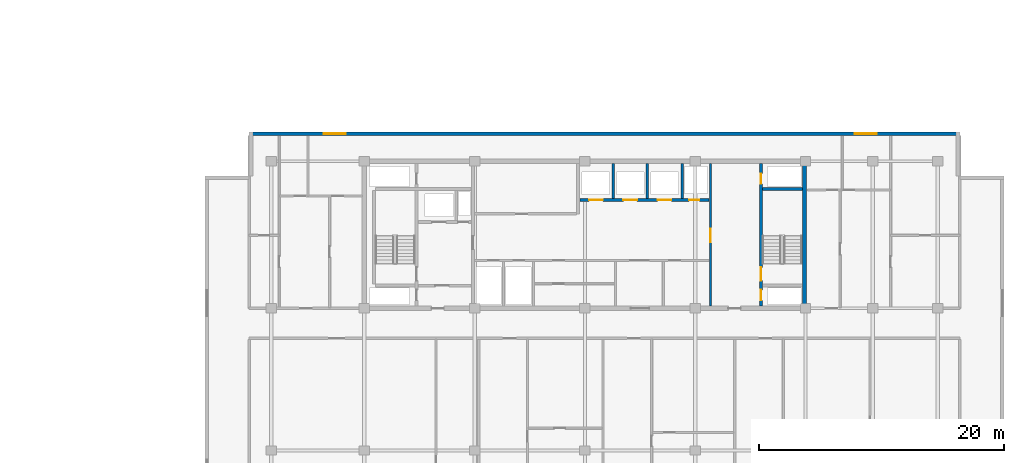
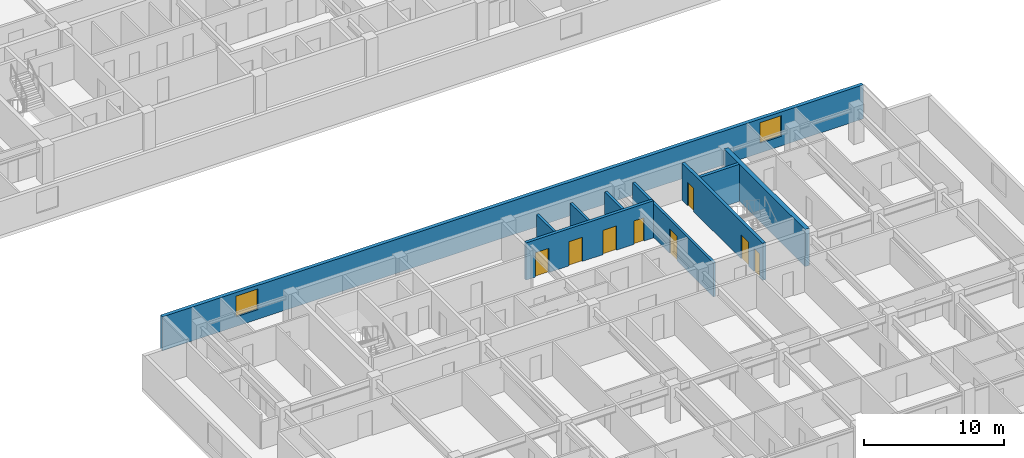
# One storey, part 7 of 21: 9 walls, 8 doors, 2 windows, 10 openings.
"""IFC4 building model written with IfcOpenShell, lengths in metres."""

import ifcopenshell
import ifcopenshell.guid

model = None  # the IFC model being written
_history = None  # IfcOwnerHistory: only IFC2X3 demands one
_inside = {}  # id of a spatial element -> (the spatial element, [elements in it])
_under = {}  # id of a project, library or spatial element -> (it, [spatial elements below it])
_declared = {}  # id of a project -> (the project, [libraries it declares])
_typed = {}  # id of a type object -> (the type object, [elements of that type])
_made_of = {}  # id of a material, layer set ... -> (it, [elements and type objects made of it])


def new_model(schema):
    """Start an empty IFC model of exactly this schema.

    Asked for "IFC4X3", IfcOpenShell would pick the latest addendum, in which some entities
    have other attributes; the version numbers below select the first issue.
    IFC2X3 requires an IfcOwnerHistory on every rooted entity: one is made here for all.
    """
    global model, _history
    if schema == "IFC4X3":
        model = ifcopenshell.file(schema_version=(4, 3, 0, 0))
    else:
        model = ifcopenshell.file(schema=schema)
    _inside.clear()
    _under.clear()
    _declared.clear()
    _typed.clear()
    _made_of.clear()
    _history = None
    if model.schema == "IFC2X3":
        org = make("IfcOrganization", Name="unknown")
        user = make(
            "IfcPersonAndOrganization",
            ThePerson=make("IfcPerson", FamilyName="unknown"),
            TheOrganization=org,
        )
        app = make(
            "IfcApplication",
            ApplicationDeveloper=org,
            Version="unknown",
            ApplicationFullName="unknown",
            ApplicationIdentifier="unknown",
        )
        _history = make(
            "IfcOwnerHistory",
            OwningUser=user,
            OwningApplication=app,
            ChangeAction="ADDED",
            CreationDate=0,
        )
    return model


def make(cls, **values):
    """One entity of the class cls with the attributes given. An attribute that is None is left unset."""
    return model.create_entity(
        cls, **{name: value for name, value in values.items() if value is not None}
    )


def rooted(cls, **values):
    """An entity with a GlobalId (a new one), such as an element, a storey or a relation."""
    return make(cls, GlobalId=ifcopenshell.guid.new(), OwnerHistory=_history, **values)


def si_unit(unit_type, name, prefix=None):
    """IfcSIUnit, for example si_unit("LENGTHUNIT", "METRE", prefix="MILLI")."""
    return make("IfcSIUnit", UnitType=unit_type, Prefix=prefix, Name=name)


def assignment(units):
    """IfcUnitAssignment: the units of a project."""
    return None if units is None else make("IfcUnitAssignment", Units=units)


def point(xyz):
    """IfcCartesianPoint."""
    return None if xyz is None else make("IfcCartesianPoint", Coordinates=xyz)


def direction(xyz):
    """IfcDirection."""
    return None if xyz is None else make("IfcDirection", DirectionRatios=xyz)


def frame(location, z_axis=None, x_axis=None):
    """IfcAxis2Placement3D, a coordinate frame: its origin and axes. An axis left out is left unset."""
    return make(
        "IfcAxis2Placement3D",
        Location=point(location),
        Axis=direction(z_axis),
        RefDirection=direction(x_axis),
    )


def frame_2d(location, x_axis=None):
    """IfcAxis2Placement2D, a coordinate frame in the plane: its origin and x axis."""
    return make(
        "IfcAxis2Placement2D", Location=point(location), RefDirection=direction(x_axis)
    )


def origin():
    """The frame at (0, 0, 0) with its axes left unset."""
    return frame((0.0, 0.0, 0.0))


def place(relative_to, where):
    """IfcLocalPlacement: puts the frame where relative to a parent placement (None: the world)."""
    return make(
        "IfcLocalPlacement", PlacementRelTo=relative_to, RelativePlacement=where
    )


def context(
    kind, dimensions, precision=None, world=None, true_north=None, identifier=None
):
    """IfcGeometricRepresentationContext, for example the 3D "Model" context."""
    return make(
        "IfcGeometricRepresentationContext",
        ContextIdentifier=identifier,
        ContextType=kind,
        CoordinateSpaceDimension=dimensions,
        Precision=precision,
        WorldCoordinateSystem=world,
        TrueNorth=true_north,
    )


def subcontext(parent, identifier, kind, view, scale=None):
    """IfcGeometricRepresentationSubContext, for example "Body" below "Model"."""
    return make(
        "IfcGeometricRepresentationSubContext",
        ContextIdentifier=identifier,
        ContextType=kind,
        ParentContext=parent,
        TargetScale=scale,
        TargetView=view,
    )


def project(units=None, contexts=None):
    """IfcProject with its units and contexts."""
    return rooted(
        "IfcProject",
        Name="project",
        RepresentationContexts=contexts,
        UnitsInContext=assignment(units),
    )


def spatial(cls, under=None, at=None, **own):
    """A site, building, storey or space (cls), placed at a placement, below another one or the project."""
    s = rooted(cls, ObjectPlacement=at, **own)
    if under is not None:
        _under.setdefault(under.id(), (under, []))[1].append(s)
    return s


def profile(cls, at=None, kind="AREA", **sizes):
    """A parametric profile (cls). Its sizes go by their IFC names, for example OverallWidth=200.0."""
    return make(cls, ProfileType=kind, Position=at, **sizes)


def rectangle(**sizes):
    """IfcRectangleProfileDef."""
    return profile("IfcRectangleProfileDef", **sizes)


def extrude(swept, where, along, depth):
    """IfcExtrudedAreaSolid: the profile swept, set in the frame where, extruded along a direction by depth."""
    return make(
        "IfcExtrudedAreaSolid",
        SweptArea=swept,
        Position=where,
        ExtrudedDirection=direction(along),
        Depth=depth,
    )


def shape(context_of_items, identifier, shape_type, items):
    """IfcShapeRepresentation: the items that make up one representation, for example the "Body"."""
    return make(
        "IfcShapeRepresentation",
        ContextOfItems=context_of_items,
        RepresentationIdentifier=identifier,
        RepresentationType=shape_type,
        Items=items,
    )


def material(Name=None, Category=None):
    """IfcMaterial."""
    return make("IfcMaterial", Name=Name, Category=Category)


def layer(
    of_material, thickness, ventilated=None, Name=None, Category=None, Priority=None
):
    """IfcMaterialLayer: one layer of a wall or slab, of a material (None: an air gap)."""
    return make(
        "IfcMaterialLayer",
        Material=of_material,
        LayerThickness=thickness,
        IsVentilated=ventilated,
        Name=Name,
        Category=Category,
        Priority=Priority,
    )


def layer_set(layers, Name=None):
    """IfcMaterialLayerSet."""
    return make("IfcMaterialLayerSet", MaterialLayers=layers, LayerSetName=Name)


def made_of(thing, what):
    """Note that an element or type object is made of a material, layer set ...; save() writes the relation."""
    if what is not None:
        _made_of.setdefault(what.id(), (what, []))[1].append(thing)
    return thing


def type_object(cls, material=None, **own):
    """A type object (cls), such as IfcWallType, which elements share."""
    return made_of(rooted(cls, **own), material)


def element(
    cls,
    number,
    at=None,
    inside=None,
    cuts=None,
    type_object=None,
    material=None,
    context=None,
    identifier="Body",
    shape_type=None,
    held_by="IfcProductDefinitionShape",
    body=None,
    shapes=None,
    **own,
):
    """One element of the class cls, such as IfcWall. Its Tag is "e" and its number.

    at: its placement. inside: the storey or other place that contains it. cuts: it is an
    opening in that element (IfcRelVoidsElement). A single representation is given by context,
    identifier, shape_type and body (its items); several are given by shapes. held_by: the class
    of the entity that holds the representations. save() writes the other relations.
    """
    e = rooted(cls, Tag="e%d" % number, ObjectPlacement=at, **own)
    if body is not None:
        shapes = [shape(context, identifier, shape_type, body)]
    if shapes is not None:
        e.Representation = make(held_by, Representations=shapes)
    if inside is not None:
        _inside.setdefault(inside.id(), (inside, []))[1].append(e)
    if cuts is not None:
        rooted(
            "IfcRelVoidsElement", RelatingBuildingElement=cuts, RelatedOpeningElement=e
        )
    if type_object is not None:
        _typed.setdefault(type_object.id(), (type_object, []))[1].append(e)
    return made_of(e, material)


def fill(opening, filler):
    """IfcRelFillsElement: the door or window that sits in an opening."""
    return rooted(
        "IfcRelFillsElement",
        RelatingOpeningElement=opening,
        RelatedBuildingElement=filler,
    )


def aggregate(whole, parts):
    """IfcRelAggregates: a whole, such as a stair, and the parts it consists of."""
    return rooted("IfcRelAggregates", RelatingObject=whole, RelatedObjects=parts)


def save(model, path):
    """Write the relations noted so far, then the file.

    IfcRelAggregates (storeys below a building ...), IfcRelContainedInSpatialStructure (elements
    in a storey), IfcRelDefinesByType, IfcRelAssociatesMaterial and IfcRelDeclares: one each for
    every whole, place, type object, material and project.
    """
    for whole, parts in _under.values():
        aggregate(whole, parts)
    for where, things in _inside.values():
        rooted(
            "IfcRelContainedInSpatialStructure",
            RelatedElements=things,
            RelatingStructure=where,
        )
    for kind, things in _typed.values():
        rooted("IfcRelDefinesByType", RelatedObjects=things, RelatingType=kind)
    for what, things in _made_of.values():
        rooted("IfcRelAssociatesMaterial", RelatedObjects=things, RelatingMaterial=what)
    for by, libraries in _declared.values():
        rooted("IfcRelDeclares", RelatingContext=by, RelatedDefinitions=libraries)
    model.write(path)


model = new_model("IFC4")

# Units and contexts
model_context = context("Model", 3, precision=1e-05, world=origin(), true_north=direction((0.0, 1.0)))
body_context = subcontext(model_context, "Body", "Model", "MODEL_VIEW")
ifc_project = project(units=[si_unit("LENGTHUNIT", "METRE"), si_unit("AREAUNIT", "SQUARE_METRE"), si_unit("VOLUMEUNIT", "CUBIC_METRE"), si_unit("PLANEANGLEUNIT", "RADIAN"), si_unit("MASSUNIT", "GRAM", prefix="KILO")], contexts=[model_context])

# Site, building, storey
site_placement = place(None, origin())
site = spatial("IfcSite", under=ifc_project, at=site_placement, CompositionType="ELEMENT")
building_placement = place(site_placement, origin())
building = spatial("IfcBuilding", under=site, at=building_placement, Name="Korimba Cascade Residences", CompositionType="ELEMENT")
storey_placement = place(building_placement, frame((0.0, 0.0, 100.300048828125)))
storey = spatial("IfcBuildingStorey", under=building, at=storey_placement, Name="L28", CompositionType="ELEMENT", Elevation=100.300048828125)

# Wall, openings, windows
ifc_material_1 = material(Name="Precast concrete C40/50", Category="concrete")
ifc_layer_1 = layer(ifc_material_1, 0.300048828125)
ifc_layer_set_1 = layer_set([ifc_layer_1], Name="Precast concrete C40/50")
wall_type_1 = type_object("IfcWallType", Name="EW-STONE-300", PredefinedType="STANDARD", material=ifc_layer_set_1)
wall_1_placement = place(storey_placement, frame((130.699951171875, 32.64990234375, 0.0), z_axis=(0.0, 0.0, 1.0), x_axis=(-1.0, 0.0, 0.0)))
wall_1 = element("IfcWall", 1, at=wall_1_placement, inside=storey, type_object=wall_type_1, Name="L28 T2 Perimeter Stone Wall E06", PredefinedType="STANDARD", context=body_context, shape_type="SweptSolid", body=[
    extrude(rectangle(XDim=58.0, YDim=0.300048828125, at=frame_2d((29.0, 0.0))), origin(), (0.0, 0.0, 1.0), 2.969970703125),
])
opening_1_placement = place(wall_1_placement, frame((50.125, 0.0, 0.85009765625)))
opening_1 = element("IfcOpeningElement", 2, at=opening_1_placement, cuts=wall_1, Name="Opening W-02", PredefinedType="OPENING", context=body_context, shape_type="SweptSolid", body=[
    extrude(rectangle(XDim=1.800048828125, YDim=1.800048828125, at=frame_2d((0.89990234375, 0.89990234375))), frame((0.0, 0.16015625, 0.0), z_axis=(0.0, -1.0, 0.0), x_axis=(1.0, 0.0, 0.0)), (0.0, 0.0, 1.0), 0.320068359375),
])
opening_2_placement = place(wall_1_placement, frame((6.77490234375, 0.0, 0.85009765625)))
opening_2 = element("IfcOpeningElement", 3, at=opening_2_placement, cuts=wall_1, Name="Opening W-02", PredefinedType="OPENING", context=body_context, shape_type="SweptSolid", body=[
    extrude(rectangle(XDim=1.800048828125, YDim=1.800048828125, at=frame_2d((0.89990234375, 0.89990234375))), frame((0.0, 0.16015625, 0.0), z_axis=(0.0, -1.0, 0.0), x_axis=(1.0, 0.0, 0.0)), (0.0, 0.0, 1.0), 0.320068359375),
])
ifc_material_2 = material(Name="Double-Glazed Aluminium Window", Category="aluminium")
window_type = type_object("IfcWindowType", Name="WIN-BED-1800", PartitioningType="SINGLE_PANEL", PredefinedType="WINDOW", material=ifc_material_2)
window_1_placement = place(opening_1_placement, origin())
window_1 = element("IfcWindow", 4, at=window_1_placement, inside=storey, type_object=window_type, Name="L28 T2 North Corner Bedroom Window 1", OverallHeight=1.800048828125, OverallWidth=1.800048828125, PartitioningType="SINGLE_PANEL", PredefinedType="WINDOW", context=body_context, shape_type="SweptSolid", body=[
    extrude(rectangle(XDim=1.800048828125, YDim=1.800048828125, at=frame_2d((0.89990234375, 0.89990234375))), frame((0.0, 0.030029296875, 0.0), z_axis=(0.0, -1.0, 0.0), x_axis=(1.0, 0.0, 0.0)), (0.0, 0.0, 1.0), 0.06005859375),
])
fill(opening_1, window_1)
window_2_placement = place(opening_2_placement, origin())
window_2 = element("IfcWindow", 5, at=window_2_placement, inside=storey, type_object=window_type, Name="L28 T2 North Corner Bedroom Window 2", OverallHeight=1.800048828125, OverallWidth=1.800048828125, PartitioningType="SINGLE_PANEL", PredefinedType="WINDOW", context=body_context, shape_type="SweptSolid", body=[
    extrude(rectangle(XDim=1.800048828125, YDim=1.800048828125, at=frame_2d((0.89990234375, 0.89990234375))), frame((0.0, 0.030029296875, 0.0), z_axis=(0.0, -1.0, 0.0), x_axis=(1.0, 0.0, 0.0)), (0.0, 0.0, 1.0), 0.06005859375),
])
fill(opening_2, window_2)

# Walls
ifc_material_3 = material(Name="Concrete C65/80", Category="concrete")
ifc_layer_2 = layer(ifc_material_3, 0.35009765625)
ifc_layer_set_2 = layer_set([ifc_layer_2], Name="Concrete C65/80")
wall_type_2 = type_object("IfcWallType", Name="WAL-CORE-350", PredefinedType="SHEAR", material=ifc_layer_set_2)
wall_2_placement = place(storey_placement, frame((118.014892578125, 18.574951171875, 0.0), z_axis=(0.0, 0.0, 1.0), x_axis=(0.0, 1.0, 0.0)))
element("IfcWall", 6, at=wall_2_placement, inside=storey, type_object=wall_type_2, Name="L28 Core Shear Wall CW-L28-T2-E", PredefinedType="SHEAR", context=body_context, shape_type="SweptSolid", body=[
    extrude(rectangle(XDim=11.650146484375, YDim=0.35009765625, at=frame_2d((5.8251953125, 0.0))), origin(), (0.0, 0.0, 1.0), 3.25),
])
ifc_material_4 = material(Name="Concrete C40/50", Category="concrete")
ifc_layer_3 = layer(ifc_material_4, 0.199951171875)
ifc_layer_set_3 = layer_set([ifc_layer_3], Name="Concrete C40/50")
wall_type_3 = type_object("IfcWallType", Name="WAL-PART-200", PredefinedType="PARTITIONING", material=ifc_layer_set_3)
for number, where, z_axis, x_axis, name in (
    (7, (102.39990234375, 27.3798828125, 0.0), (0.0, 0.0, 1.0), (0.0, 1.0, 0.0), "L28 Partition Wall CW-L28-T2-B2D1"),
    (8, (105.199951171875, 27.3798828125, 0.0), (0.0, 0.0, 1.0), (0.0, 1.0, 0.0), "L28 Partition Wall CW-L28-T2-B2D2"),
    (9, (108.050048828125, 27.3798828125, 0.0), (0.0, 0.0, 1.0), (0.0, 1.0, 0.0), "L28 Partition Wall CW-L28-T2-B2D3"),
):
    element("IfcWall", number, at=place(storey_placement, frame(where, z_axis=z_axis, x_axis=x_axis)), inside=storey, type_object=wall_type_3, Name=name, PredefinedType="PARTITIONING", context=body_context, shape_type="SweptSolid", body=[
        extrude(rectangle(XDim=2.820068359375, YDim=0.199951171875, at=frame_2d((1.41015625, 0.0))), origin(), (0.0, 0.0, 1.0), 2.969970703125),
    ])

# Wall, opening, door
wall_3_placement = place(storey_placement, frame((110.35009765625, 18.60009765625, 0.0), z_axis=(0.0, 0.0, 1.0), x_axis=(0.0, 1.0, 0.0)))
wall_3 = element("IfcWall", 10, at=wall_3_placement, inside=storey, type_object=wall_type_3, Name="L28 Partition Wall CW-L28-T2-LLEV", PredefinedType="PARTITIONING", context=body_context, shape_type="SweptSolid", body=[
    extrude(rectangle(XDim=11.599853515625, YDim=0.199951171875, at=frame_2d((5.7998046875, 0.0))), origin(), (0.0, 0.0, 1.0), 2.969970703125),
])
opening_3_placement = place(wall_3_placement, frame((5.199951171875, 0.0, 0.0)))
opening_3 = element("IfcOpeningElement", 11, at=opening_3_placement, cuts=wall_3, Name="Opening D-FD6", PredefinedType="OPENING", context=body_context, shape_type="SweptSolid", body=[
    extrude(rectangle(XDim=1.10009765625, YDim=2.14990234375, at=frame_2d((0.550048828125, 1.074951171875))), frame((0.0, 0.10986328125, 0.0), z_axis=(0.0, -1.0, 0.0), x_axis=(1.0, 0.0, 0.0)), (0.0, 0.0, 1.0), 0.219970703125),
])
ifc_material_5 = material(Name="Fire-Rated Timber Stair Lobby Door", Category="wood")
door_type_1 = type_object("IfcDoorType", Name="DR-FD90-1100", OperationType="NOTDEFINED", PredefinedType="DOOR", material=ifc_material_5)
door_1_placement = place(opening_3_placement, origin())
door_1 = element("IfcDoor", 12, at=door_1_placement, inside=storey, type_object=door_type_1, Name="L28 T2 Lift Lobby to East Stair Lobby Door", OperationType="SINGLE_SWING_LEFT", OverallHeight=2.14990234375, OverallWidth=1.10009765625, PredefinedType="DOOR", context=body_context, shape_type="SweptSolid", body=[
    extrude(rectangle(XDim=1.10009765625, YDim=2.14990234375, at=frame_2d((0.550048828125, 1.074951171875))), frame((0.0, 0.02490234375, 0.0), z_axis=(0.0, -1.0, 0.0), x_axis=(1.0, 0.0, 0.0)), (0.0, 0.0, 1.0), 0.050048828125),
])
fill(opening_3, door_1)

# Wall, openings, doors
ifc_material_6 = material(Name="Concrete C50/60", Category="concrete")
ifc_layer_4 = layer(ifc_material_6, 0.25)
ifc_layer_set_4 = layer_set([ifc_layer_4], Name="Concrete C50/60")
wall_type_4 = type_object("IfcWallType", Name="WAL-SHAFT-250", PredefinedType="SHEAR", material=ifc_layer_set_4)
wall_4_placement = place(storey_placement, frame((99.679931640625, 27.25, 0.0), z_axis=(0.0, 0.0, 1.0), x_axis=(1.0, 0.0, 0.0)))
wall_4 = element("IfcWall", 13, at=wall_4_placement, inside=storey, type_object=wall_type_4, Name="L28 Core Shear Wall CW-L28-T2-B2S", PredefinedType="SHEAR", context=body_context, shape_type="SweptSolid", body=[
    extrude(rectangle(XDim=10.5400390625, YDim=0.25, at=frame_2d((5.27001953125, 0.0))), origin(), (0.0, 0.0, 1.0), 3.25),
])
opening_4_placement = place(wall_4_placement, frame((0.760009765625, 0.0, 0.0)))
opening_4 = element("IfcOpeningElement", 14, at=opening_4_placement, cuts=wall_4, Name="Opening LD-01", PredefinedType="OPENING", context=body_context, shape_type="SweptSolid", body=[
    extrude(rectangle(XDim=1.1201171875, YDim=2.1201171875, at=frame_2d((0.56005859375, 1.06005859375))), frame((0.0, 0.135009765625, 0.0), z_axis=(0.0, -1.0, 0.0), x_axis=(1.0, 0.0, 0.0)), (0.0, 0.0, 1.0), 0.27001953125),
])
opening_5_placement = place(wall_4_placement, frame((3.56005859375, 0.0, 0.0)))
opening_5 = element("IfcOpeningElement", 15, at=opening_5_placement, cuts=wall_4, Name="Opening LD-01", PredefinedType="OPENING", context=body_context, shape_type="SweptSolid", body=[
    extrude(rectangle(XDim=1.1201171875, YDim=2.1201171875, at=frame_2d((0.56005859375, 1.06005859375))), frame((0.0, 0.135009765625, 0.0), z_axis=(0.0, -1.0, 0.0), x_axis=(1.0, 0.0, 0.0)), (0.0, 0.0, 1.0), 0.27001953125),
])
opening_6_placement = place(wall_4_placement, frame((6.360107421875, 0.0, 0.0)))
opening_6 = element("IfcOpeningElement", 16, at=opening_6_placement, cuts=wall_4, Name="Opening LD-01", PredefinedType="OPENING", context=body_context, shape_type="SweptSolid", body=[
    extrude(rectangle(XDim=1.1201171875, YDim=2.1201171875, at=frame_2d((0.56005859375, 1.06005859375))), frame((0.0, 0.135009765625, 0.0), z_axis=(0.0, -1.0, 0.0), x_axis=(1.0, 0.0, 0.0)), (0.0, 0.0, 1.0), 0.27001953125),
])
opening_7_placement = place(wall_4_placement, frame((8.919921875, 0.0, 0.0)))
opening_7 = element("IfcOpeningElement", 17, at=opening_7_placement, cuts=wall_4, Name="Opening D-RS1", PredefinedType="OPENING", context=body_context, shape_type="SweptSolid", body=[
    extrude(rectangle(XDim=0.85009765625, YDim=2.050048828125, at=frame_2d((0.425048828125, 1.02490234375))), frame((0.0, 0.135009765625, 0.0), z_axis=(0.0, -1.0, 0.0), x_axis=(1.0, 0.0, 0.0)), (0.0, 0.0, 1.0), 0.27001953125),
])
ifc_material_7 = material(Name="Fire-Rated Steel Riser Access Door", Category="steel")
door_type_2 = type_object("IfcDoorType", Name="DR-FD60-850", OperationType="NOTDEFINED", PredefinedType="DOOR", material=ifc_material_7)
door_2_placement = place(opening_7_placement, origin())
door_2 = element("IfcDoor", 18, at=door_2_placement, inside=storey, type_object=door_type_2, Name="L28 T2 Duct Door", OperationType="SINGLE_SWING_LEFT", OverallHeight=2.050048828125, OverallWidth=0.85009765625, PredefinedType="DOOR", context=body_context, shape_type="SweptSolid", body=[
    extrude(rectangle(XDim=0.85009765625, YDim=2.050048828125, at=frame_2d((0.425048828125, 1.02490234375))), frame((0.0, 0.02490234375, 0.0), z_axis=(0.0, -1.0, 0.0), x_axis=(1.0, 0.0, 0.0)), (0.0, 0.0, 1.0), 0.050048828125),
])
fill(opening_7, door_2)
ifc_material_8 = material(Name="Stainless Steel Lift Landing Sliding Door", Category="steel")
door_type_3 = type_object("IfcDoorType", Name="DR-LIFT-1100", OperationType="NOTDEFINED", PredefinedType="DOOR", material=ifc_material_8)
door_3_placement = place(opening_4_placement, origin())
door_3 = element("IfcDoor", 19, at=door_3_placement, inside=storey, type_object=door_type_3, Name="L28 Lift Landing Door PL-E4", OperationType="SLIDING_TO_RIGHT", OverallHeight=2.1201171875, OverallWidth=1.1201171875, PredefinedType="DOOR", context=body_context, shape_type="SweptSolid", body=[
    extrude(rectangle(XDim=1.1201171875, YDim=2.1201171875, at=frame_2d((0.56005859375, 1.06005859375))), frame((0.0, 0.02490234375, 0.0), z_axis=(0.0, -1.0, 0.0), x_axis=(1.0, 0.0, 0.0)), (0.0, 0.0, 1.0), 0.050048828125),
])
fill(opening_4, door_3)
door_4_placement = place(opening_5_placement, origin())
door_4 = element("IfcDoor", 20, at=door_4_placement, inside=storey, type_object=door_type_3, Name="L28 Lift Landing Door PL-E5", OperationType="SLIDING_TO_RIGHT", OverallHeight=2.1201171875, OverallWidth=1.1201171875, PredefinedType="DOOR", context=body_context, shape_type="SweptSolid", body=[
    extrude(rectangle(XDim=1.1201171875, YDim=2.1201171875, at=frame_2d((0.56005859375, 1.06005859375))), frame((0.0, 0.02490234375, 0.0), z_axis=(0.0, -1.0, 0.0), x_axis=(1.0, 0.0, 0.0)), (0.0, 0.0, 1.0), 0.050048828125),
])
fill(opening_5, door_4)
door_5_placement = place(opening_6_placement, origin())
door_5 = element("IfcDoor", 21, at=door_5_placement, inside=storey, type_object=door_type_3, Name="L28 Lift Landing Door PL-E6", OperationType="SLIDING_TO_RIGHT", OverallHeight=2.1201171875, OverallWidth=1.1201171875, PredefinedType="DOOR", context=body_context, shape_type="SweptSolid", body=[
    extrude(rectangle(XDim=1.1201171875, YDim=2.1201171875, at=frame_2d((0.56005859375, 1.06005859375))), frame((0.0, 0.02490234375, 0.0), z_axis=(0.0, -1.0, 0.0), x_axis=(1.0, 0.0, 0.0)), (0.0, 0.0, 1.0), 0.050048828125),
])
fill(opening_6, door_5)

wall_5_placement = place(storey_placement, frame((114.47509765625, 18.60009765625, 0.0), z_axis=(0.0, 0.0, 1.0), x_axis=(0.0, 1.0, 0.0)))
wall_5 = element("IfcWall", 22, at=wall_5_placement, inside=storey, type_object=wall_type_4, Name="L28 Core Shear Wall CW-L28-T2-STE2W", PredefinedType="SHEAR", context=body_context, shape_type="SweptSolid", body=[
    extrude(rectangle(XDim=11.599853515625, YDim=0.25, at=frame_2d((5.7998046875, 0.0))), origin(), (0.0, 0.0, 1.0), 3.25),
])
opening_8_placement = place(wall_5_placement, frame((0.449951171875, 0.0, 0.0)))
opening_8 = element("IfcOpeningElement", 23, at=opening_8_placement, cuts=wall_5, Name="Opening D-RS1", PredefinedType="OPENING", context=body_context, shape_type="SweptSolid", body=[
    extrude(rectangle(XDim=0.85009765625, YDim=2.050048828125, at=frame_2d((0.425048828125, 1.02490234375))), frame((0.0, 0.135009765625, 0.0), z_axis=(0.0, -1.0, 0.0), x_axis=(1.0, 0.0, 0.0)), (0.0, 0.0, 1.0), 0.27001953125),
])
opening_9_placement = place(wall_5_placement, frame((2.050048828125, 0.0, 0.0)))
opening_9 = element("IfcOpeningElement", 24, at=opening_9_placement, cuts=wall_5, Name="Opening D-FD1", PredefinedType="OPENING", context=body_context, shape_type="SweptSolid", body=[
    extrude(rectangle(XDim=1.10009765625, YDim=2.10009765625, at=frame_2d((0.550048828125, 1.050048828125))), frame((0.0, 0.135009765625, 0.0), z_axis=(0.0, -1.0, 0.0), x_axis=(1.0, 0.0, 0.0)), (0.0, 0.0, 1.0), 0.27001953125),
])
opening_10_placement = place(wall_5_placement, frame((9.949951171875, 0.0, 0.0)))
opening_10 = element("IfcOpeningElement", 25, at=opening_10_placement, cuts=wall_5, Name="Opening D-RS1", PredefinedType="OPENING", context=body_context, shape_type="SweptSolid", body=[
    extrude(rectangle(XDim=0.85009765625, YDim=2.050048828125, at=frame_2d((0.425048828125, 1.02490234375))), frame((0.0, 0.135009765625, 0.0), z_axis=(0.0, -1.0, 0.0), x_axis=(1.0, 0.0, 0.0)), (0.0, 0.0, 1.0), 0.27001953125),
])
ifc_material_9 = material(Name="Fire-Rated Steel Core Door", Category="steel")
door_type_4 = type_object("IfcDoorType", Name="DR-FD120-1100", OperationType="NOTDEFINED", PredefinedType="DOOR", material=ifc_material_9)
door_6_placement = place(opening_9_placement, origin())
door_6 = element("IfcDoor", 26, at=door_6_placement, inside=storey, type_object=door_type_4, Name="L28 Fire Stair ST-E2 Door", OperationType="SINGLE_SWING_LEFT", OverallHeight=2.10009765625, OverallWidth=1.10009765625, PredefinedType="DOOR", context=body_context, shape_type="SweptSolid", body=[
    extrude(rectangle(XDim=1.10009765625, YDim=2.10009765625, at=frame_2d((0.550048828125, 1.050048828125))), frame((0.0, 0.02490234375, 0.0), z_axis=(0.0, -1.0, 0.0), x_axis=(1.0, 0.0, 0.0)), (0.0, 0.0, 1.0), 0.050048828125),
])
fill(opening_9, door_6)
door_7_placement = place(opening_8_placement, origin())
door_7 = element("IfcDoor", 27, at=door_7_placement, inside=storey, type_object=door_type_2, Name="L28 T2 East Hydrant Door", OperationType="SINGLE_SWING_RIGHT", OverallHeight=2.050048828125, OverallWidth=0.85009765625, PredefinedType="DOOR", context=body_context, shape_type="SweptSolid", body=[
    extrude(rectangle(XDim=0.85009765625, YDim=2.050048828125, at=frame_2d((0.425048828125, 1.02490234375))), frame((0.0, 0.02490234375, 0.0), z_axis=(0.0, -1.0, 0.0), x_axis=(1.0, 0.0, 0.0)), (0.0, 0.0, 1.0), 0.050048828125),
])
fill(opening_8, door_7)
door_8_placement = place(opening_10_placement, origin())
door_8 = element("IfcDoor", 28, at=door_8_placement, inside=storey, type_object=door_type_2, Name="L28 T2 East Riser Door", OperationType="SINGLE_SWING_RIGHT", OverallHeight=2.050048828125, OverallWidth=0.85009765625, PredefinedType="DOOR", context=body_context, shape_type="SweptSolid", body=[
    extrude(rectangle(XDim=0.85009765625, YDim=2.050048828125, at=frame_2d((0.425048828125, 1.02490234375))), frame((0.0, 0.02490234375, 0.0), z_axis=(0.0, -1.0, 0.0), x_axis=(1.0, 0.0, 0.0)), (0.0, 0.0, 1.0), 0.050048828125),
])
fill(opening_10, door_8)

# Wall
wall_6_placement = place(storey_placement, frame((114.60009765625, 28.125, 0.0), z_axis=(0.0, 0.0, 1.0), x_axis=(1.0, 0.0, 0.0)))
element("IfcWall", 29, at=wall_6_placement, inside=storey, type_object=wall_type_4, Name="L28 Core Shear Wall CW-L28-T2-STE2N", PredefinedType="SHEAR", context=body_context, shape_type="SweptSolid", body=[
    extrude(rectangle(XDim=3.239990234375, YDim=0.25, at=frame_2d((1.6201171875, 0.0))), origin(), (0.0, 0.0, 1.0), 3.25),
])

save(model, "model.ifc")
